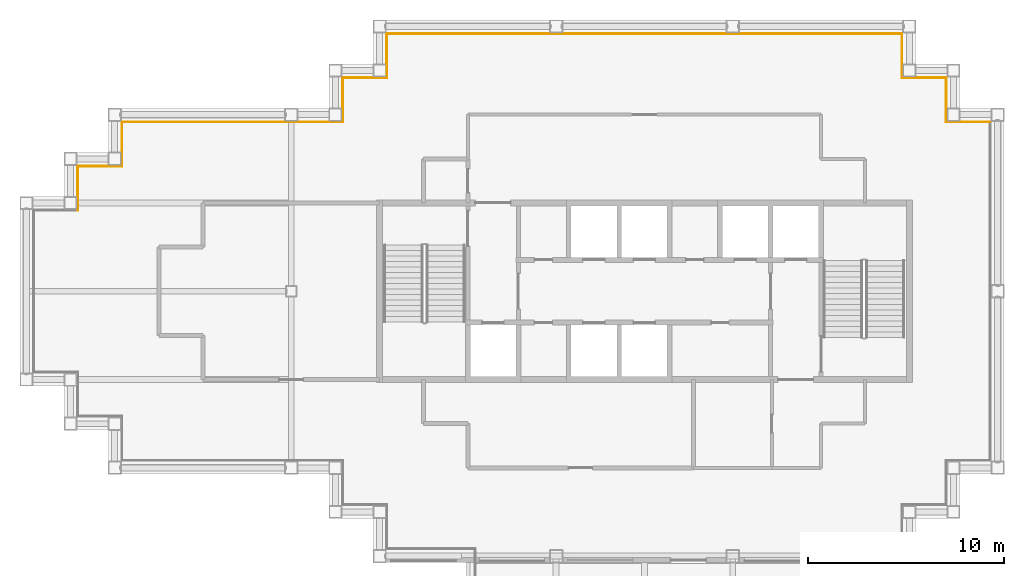
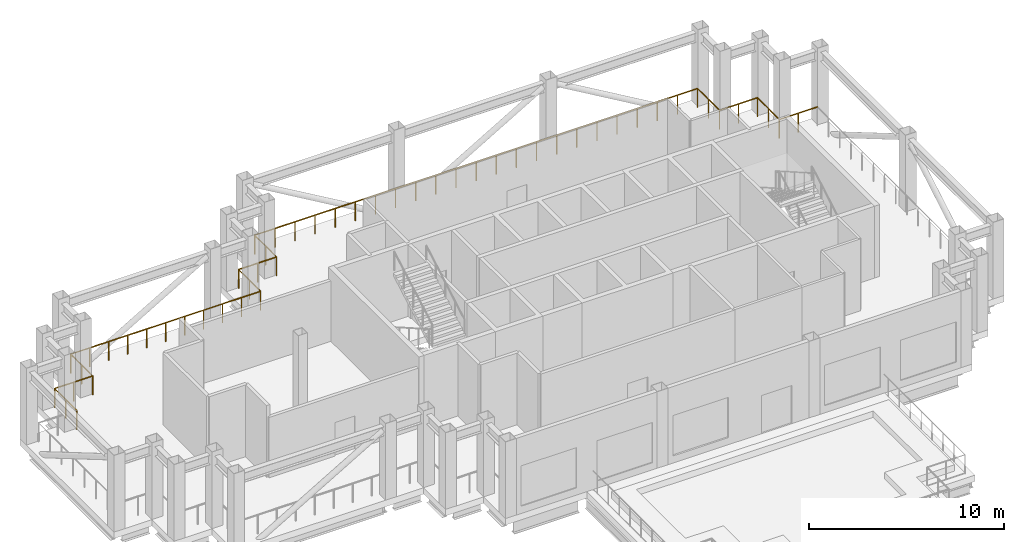
# One storey, part 10 of 10: 12 railings.
"""IFC4 building model written with IfcOpenShell, lengths in metres."""

from ifc_helpers import new_model, si_unit, direction, frame, origin, origin_2d, place, context, subcontext, project, spatial, circle, extrude, material, type_object, element, save


model = new_model("IFC4")

# Units and contexts
model_context = context("Model", 3, precision=1e-05, world=origin(), true_north=direction((0.0, 1.0)))
body_context = subcontext(model_context, "Body", "Model", "MODEL_VIEW")
ifc_project = project(units=[si_unit("LENGTHUNIT", "METRE"), si_unit("AREAUNIT", "SQUARE_METRE"), si_unit("VOLUMEUNIT", "CUBIC_METRE"), si_unit("PLANEANGLEUNIT", "RADIAN"), si_unit("MASSUNIT", "GRAM", prefix="KILO")], contexts=[model_context])

# Site, building, storey
site_placement = place(None, origin())
site = spatial("IfcSite", under=ifc_project, at=site_placement, CompositionType="ELEMENT")
building_placement = place(site_placement, origin())
building = spatial("IfcBuilding", under=site, at=building_placement, Name="Caravel Reach Hotel and Residences", CompositionType="ELEMENT")
storey_placement = place(building_placement, frame((0.0, 0.0, 233.10009765625)))
storey = spatial("IfcBuildingStorey", under=building, at=storey_placement, Name="L59", CompositionType="ELEMENT", Elevation=233.10009765625)

# Railings
ifc_material = material(Name="Stainless steel S30408", Category="steel")
railing_type = type_object("IfcRailingType", Name="G1 Guard 1200 stainless", PredefinedType="GUARDRAIL", material=ifc_material)
railing_1_placement = place(storey_placement, frame((49.125, 35.625, 0.0)))
element("IfcRailing", 1, at=railing_1_placement, inside=storey, type_object=railing_type, Name="Guard L59 1 run 9", PredefinedType="GUARDRAIL", context=body_context, shape_type="SweptSolid", body=[
    extrude(circle(Radius=0.02392578125, at=origin_2d()), frame((0.0, 0.0, 1.17578125), z_axis=(-1.0, 0.0, 0.0), x_axis=(0.0, -1.0, 0.0)), (0.0, 0.0, 1.0), 2.25),
    extrude(circle(Radius=0.02099609375, at=origin_2d()), frame((-1.125, 0.0, 0.0)), (0.0, 0.0, 1.0), 1.15185546875),
    extrude(circle(Radius=0.02099609375, at=origin_2d()), frame((-2.25, 0.0, 0.0)), (0.0, 0.0, 1.0), 1.15185546875),
])
railing_2_placement = place(storey_placement, frame((46.875, 35.625, 0.0)))
element("IfcRailing", 2, at=railing_2_placement, inside=storey, type_object=railing_type, Name="Guard L59 1 run 10", PredefinedType="GUARDRAIL", context=body_context, shape_type="SweptSolid", body=[
    extrude(circle(Radius=0.02392578125, at=origin_2d()), frame((0.0, 0.0, 1.17578125), z_axis=(0.0, 1.0, 0.0), x_axis=(-1.0, 0.0, 0.0)), (0.0, 0.0, 1.0), 2.25),
    extrude(circle(Radius=0.02099609375, at=origin_2d()), frame((0.0, 1.125, 0.0)), (0.0, 0.0, 1.0), 1.15185546875),
    extrude(circle(Radius=0.02099609375, at=origin_2d()), frame((0.0, 2.25, 0.0)), (0.0, 0.0, 1.0), 1.15185546875),
])
railing_3_placement = place(storey_placement, frame((46.875, 37.875, 0.0)))
element("IfcRailing", 3, at=railing_3_placement, inside=storey, type_object=railing_type, Name="Guard L59 1 run 11", PredefinedType="GUARDRAIL", context=body_context, shape_type="SweptSolid", body=[
    extrude(circle(Radius=0.02392578125, at=origin_2d()), frame((0.0, 0.0, 1.17578125), z_axis=(-1.0, 0.0, 0.0), x_axis=(0.0, -1.0, 0.0)), (0.0, 0.0, 1.0), 2.25),
    extrude(circle(Radius=0.02099609375, at=origin_2d()), frame((-1.125, 0.0, 0.0)), (0.0, 0.0, 1.0), 1.15185546875),
    extrude(circle(Radius=0.02099609375, at=origin_2d()), frame((-2.25, 0.0, 0.0)), (0.0, 0.0, 1.0), 1.15185546875),
])
railing_4_placement = place(storey_placement, frame((44.625, 37.875, 0.0)))
element("IfcRailing", 4, at=railing_4_placement, inside=storey, type_object=railing_type, Name="Guard L59 1 run 12", PredefinedType="GUARDRAIL", context=body_context, shape_type="SweptSolid", body=[
    extrude(circle(Radius=0.02392578125, at=origin_2d()), frame((0.0, 0.0, 1.17578125), z_axis=(0.0, 1.0, 0.0), x_axis=(-1.0, 0.0, 0.0)), (0.0, 0.0, 1.0), 2.25),
    extrude(circle(Radius=0.02099609375, at=origin_2d()), frame((0.0, 1.125, 0.0)), (0.0, 0.0, 1.0), 1.15185546875),
    extrude(circle(Radius=0.02099609375, at=origin_2d()), frame((0.0, 2.25, 0.0)), (0.0, 0.0, 1.0), 1.15185546875),
])
railing_5_placement = place(storey_placement, frame((44.625, 40.125, 0.0)))
element("IfcRailing", 5, at=railing_5_placement, inside=storey, type_object=railing_type, Name="Guard L59 1 run 13", PredefinedType="GUARDRAIL", context=body_context, shape_type="SweptSolid", body=[
    extrude(circle(Radius=0.02392578125, at=origin_2d()), frame((0.0, 0.0, 1.17578125), z_axis=(-1.0, 0.0, 0.0), x_axis=(0.0, -1.0, 0.0)), (0.0, 0.0, 1.0), 26.25),
    extrude(circle(Radius=0.02099609375, at=origin_2d()), frame((-1.193115234375, 0.0, 0.0)), (0.0, 0.0, 1.0), 1.15185546875),
    extrude(circle(Radius=0.02099609375, at=origin_2d()), frame((-2.386474609375, 0.0, 0.0)), (0.0, 0.0, 1.0), 1.15185546875),
    extrude(circle(Radius=0.02099609375, at=origin_2d()), frame((-3.57958984375, 0.0, 0.0)), (0.0, 0.0, 1.0), 1.15185546875),
    extrude(circle(Radius=0.02099609375, at=origin_2d()), frame((-4.772705078125, 0.0, 0.0)), (0.0, 0.0, 1.0), 1.15185546875),
    extrude(circle(Radius=0.02099609375, at=origin_2d()), frame((-5.9658203125, 0.0, 0.0)), (0.0, 0.0, 1.0), 1.15185546875),
    extrude(circle(Radius=0.02099609375, at=origin_2d()), frame((-7.1591796875, 0.0, 0.0)), (0.0, 0.0, 1.0), 1.15185546875),
    extrude(circle(Radius=0.02099609375, at=origin_2d()), frame((-8.352294921875, 0.0, 0.0)), (0.0, 0.0, 1.0), 1.15185546875),
    extrude(circle(Radius=0.02099609375, at=origin_2d()), frame((-9.54541015625, 0.0, 0.0)), (0.0, 0.0, 1.0), 1.15185546875),
    extrude(circle(Radius=0.02099609375, at=origin_2d()), frame((-10.738525390625, 0.0, 0.0)), (0.0, 0.0, 1.0), 1.15185546875),
    extrude(circle(Radius=0.02099609375, at=origin_2d()), frame((-11.931884765625, 0.0, 0.0)), (0.0, 0.0, 1.0), 1.15185546875),
    extrude(circle(Radius=0.02099609375, at=origin_2d()), frame((-13.125, 0.0, 0.0)), (0.0, 0.0, 1.0), 1.15185546875),
    extrude(circle(Radius=0.02099609375, at=origin_2d()), frame((-14.318115234375, 0.0, 0.0)), (0.0, 0.0, 1.0), 1.15185546875),
    extrude(circle(Radius=0.02099609375, at=origin_2d()), frame((-15.511474609375, 0.0, 0.0)), (0.0, 0.0, 1.0), 1.15185546875),
    extrude(circle(Radius=0.02099609375, at=origin_2d()), frame((-16.70458984375, 0.0, 0.0)), (0.0, 0.0, 1.0), 1.15185546875),
    extrude(circle(Radius=0.02099609375, at=origin_2d()), frame((-17.897705078125, 0.0, 0.0)), (0.0, 0.0, 1.0), 1.15185546875),
    extrude(circle(Radius=0.02099609375, at=origin_2d()), frame((-19.0908203125, 0.0, 0.0)), (0.0, 0.0, 1.0), 1.15185546875),
    extrude(circle(Radius=0.02099609375, at=origin_2d()), frame((-20.2841796875, 0.0, 0.0)), (0.0, 0.0, 1.0), 1.15185546875),
    extrude(circle(Radius=0.02099609375, at=origin_2d()), frame((-21.477294921875, 0.0, 0.0)), (0.0, 0.0, 1.0), 1.15185546875),
    extrude(circle(Radius=0.02099609375, at=origin_2d()), frame((-22.67041015625, 0.0, 0.0)), (0.0, 0.0, 1.0), 1.15185546875),
    extrude(circle(Radius=0.02099609375, at=origin_2d()), frame((-23.863525390625, 0.0, 0.0)), (0.0, 0.0, 1.0), 1.15185546875),
    extrude(circle(Radius=0.02099609375, at=origin_2d()), frame((-25.056884765625, 0.0, 0.0)), (0.0, 0.0, 1.0), 1.15185546875),
    extrude(circle(Radius=0.02099609375, at=origin_2d()), frame((-26.25, 0.0, 0.0)), (0.0, 0.0, 1.0), 1.15185546875),
])
railing_6_placement = place(storey_placement, frame((18.375, 40.125, 0.0)))
element("IfcRailing", 6, at=railing_6_placement, inside=storey, type_object=railing_type, Name="Guard L59 1 run 14", PredefinedType="GUARDRAIL", context=body_context, shape_type="SweptSolid", body=[
    extrude(circle(Radius=0.02392578125, at=origin_2d()), frame((0.0, 0.0, 1.17578125), z_axis=(0.0, -1.0, 0.0), x_axis=(1.0, 0.0, 0.0)), (0.0, 0.0, 1.0), 2.25),
    extrude(circle(Radius=0.02099609375, at=origin_2d()), frame((0.0, -1.125, 0.0)), (0.0, 0.0, 1.0), 1.15185546875),
    extrude(circle(Radius=0.02099609375, at=origin_2d()), frame((0.0, -2.25, 0.0)), (0.0, 0.0, 1.0), 1.15185546875),
])
railing_7_placement = place(storey_placement, frame((18.375, 37.875, 0.0)))
element("IfcRailing", 7, at=railing_7_placement, inside=storey, type_object=railing_type, Name="Guard L59 1 run 15", PredefinedType="GUARDRAIL", context=body_context, shape_type="SweptSolid", body=[
    extrude(circle(Radius=0.02392578125, at=origin_2d()), frame((0.0, 0.0, 1.17578125), z_axis=(-1.0, 0.0, 0.0), x_axis=(0.0, -1.0, 0.0)), (0.0, 0.0, 1.0), 2.25),
    extrude(circle(Radius=0.02099609375, at=origin_2d()), frame((-1.125, 0.0, 0.0)), (0.0, 0.0, 1.0), 1.15185546875),
    extrude(circle(Radius=0.02099609375, at=origin_2d()), frame((-2.25, 0.0, 0.0)), (0.0, 0.0, 1.0), 1.15185546875),
])
railing_8_placement = place(storey_placement, frame((16.125, 37.875, 0.0)))
element("IfcRailing", 8, at=railing_8_placement, inside=storey, type_object=railing_type, Name="Guard L59 1 run 16", PredefinedType="GUARDRAIL", context=body_context, shape_type="SweptSolid", body=[
    extrude(circle(Radius=0.02392578125, at=origin_2d()), frame((0.0, 0.0, 1.17578125), z_axis=(0.0, -1.0, 0.0), x_axis=(1.0, 0.0, 0.0)), (0.0, 0.0, 1.0), 2.25),
    extrude(circle(Radius=0.02099609375, at=origin_2d()), frame((0.0, -1.125, 0.0)), (0.0, 0.0, 1.0), 1.15185546875),
    extrude(circle(Radius=0.02099609375, at=origin_2d()), frame((0.0, -2.25, 0.0)), (0.0, 0.0, 1.0), 1.15185546875),
])
railing_9_placement = place(storey_placement, frame((16.125, 35.625, 0.0)))
element("IfcRailing", 9, at=railing_9_placement, inside=storey, type_object=railing_type, Name="Guard L59 1 run 17", PredefinedType="GUARDRAIL", context=body_context, shape_type="SweptSolid", body=[
    extrude(circle(Radius=0.02392578125, at=origin_2d()), frame((0.0, 0.0, 1.17578125), z_axis=(-1.0, 0.0, 0.0), x_axis=(0.0, -1.0, 0.0)), (0.0, 0.0, 1.0), 11.25),
    extrude(circle(Radius=0.02099609375, at=origin_2d()), frame((-1.125, 0.0, 0.0)), (0.0, 0.0, 1.0), 1.15185546875),
    extrude(circle(Radius=0.02099609375, at=origin_2d()), frame((-2.25, 0.0, 0.0)), (0.0, 0.0, 1.0), 1.15185546875),
    extrude(circle(Radius=0.02099609375, at=origin_2d()), frame((-3.375, 0.0, 0.0)), (0.0, 0.0, 1.0), 1.15185546875),
    extrude(circle(Radius=0.02099609375, at=origin_2d()), frame((-4.5, 0.0, 0.0)), (0.0, 0.0, 1.0), 1.15185546875),
    extrude(circle(Radius=0.02099609375, at=origin_2d()), frame((-5.625, 0.0, 0.0)), (0.0, 0.0, 1.0), 1.15185546875),
    extrude(circle(Radius=0.02099609375, at=origin_2d()), frame((-6.75, 0.0, 0.0)), (0.0, 0.0, 1.0), 1.15185546875),
    extrude(circle(Radius=0.02099609375, at=origin_2d()), frame((-7.875, 0.0, 0.0)), (0.0, 0.0, 1.0), 1.15185546875),
    extrude(circle(Radius=0.02099609375, at=origin_2d()), frame((-9.0, 0.0, 0.0)), (0.0, 0.0, 1.0), 1.15185546875),
    extrude(circle(Radius=0.02099609375, at=origin_2d()), frame((-10.125, 0.0, 0.0)), (0.0, 0.0, 1.0), 1.15185546875),
    extrude(circle(Radius=0.02099609375, at=origin_2d()), frame((-11.25, 0.0, 0.0)), (0.0, 0.0, 1.0), 1.15185546875),
])
railing_10_placement = place(storey_placement, frame((4.875, 35.625, 0.0)))
element("IfcRailing", 10, at=railing_10_placement, inside=storey, type_object=railing_type, Name="Guard L59 1 run 18", PredefinedType="GUARDRAIL", context=body_context, shape_type="SweptSolid", body=[
    extrude(circle(Radius=0.02392578125, at=origin_2d()), frame((0.0, 0.0, 1.17578125), z_axis=(0.0, -1.0, 0.0), x_axis=(1.0, 0.0, 0.0)), (0.0, 0.0, 1.0), 2.25),
    extrude(circle(Radius=0.02099609375, at=origin_2d()), frame((0.0, -1.125, 0.0)), (0.0, 0.0, 1.0), 1.15185546875),
    extrude(circle(Radius=0.02099609375, at=origin_2d()), frame((0.0, -2.25, 0.0)), (0.0, 0.0, 1.0), 1.15185546875),
])
railing_11_placement = place(storey_placement, frame((4.875, 33.375, 0.0)))
element("IfcRailing", 11, at=railing_11_placement, inside=storey, type_object=railing_type, Name="Guard L59 1 run 19", PredefinedType="GUARDRAIL", context=body_context, shape_type="SweptSolid", body=[
    extrude(circle(Radius=0.02392578125, at=origin_2d()), frame((0.0, 0.0, 1.17578125), z_axis=(-1.0, 0.0, 0.0), x_axis=(0.0, -1.0, 0.0)), (0.0, 0.0, 1.0), 2.25),
    extrude(circle(Radius=0.02099609375, at=origin_2d()), frame((-1.125, 0.0, 0.0)), (0.0, 0.0, 1.0), 1.15185546875),
    extrude(circle(Radius=0.02099609375, at=origin_2d()), frame((-2.25, 0.0, 0.0)), (0.0, 0.0, 1.0), 1.15185546875),
])
railing_12_placement = place(storey_placement, frame((2.625, 33.375, 0.0)))
element("IfcRailing", 12, at=railing_12_placement, inside=storey, type_object=railing_type, Name="Guard L59 1 run 20", PredefinedType="GUARDRAIL", context=body_context, shape_type="SweptSolid", body=[
    extrude(circle(Radius=0.02392578125, at=origin_2d()), frame((0.0, 0.0, 1.17578125), z_axis=(0.0, -1.0, 0.0), x_axis=(1.0, 0.0, 0.0)), (0.0, 0.0, 1.0), 2.25),
    extrude(circle(Radius=0.02099609375, at=origin_2d()), frame((0.0, -1.125, 0.0)), (0.0, 0.0, 1.0), 1.15185546875),
    extrude(circle(Radius=0.02099609375, at=origin_2d()), frame((0.0, -2.25, 0.0)), (0.0, 0.0, 1.0), 1.15185546875),
])

save(model, "model.ifc")
